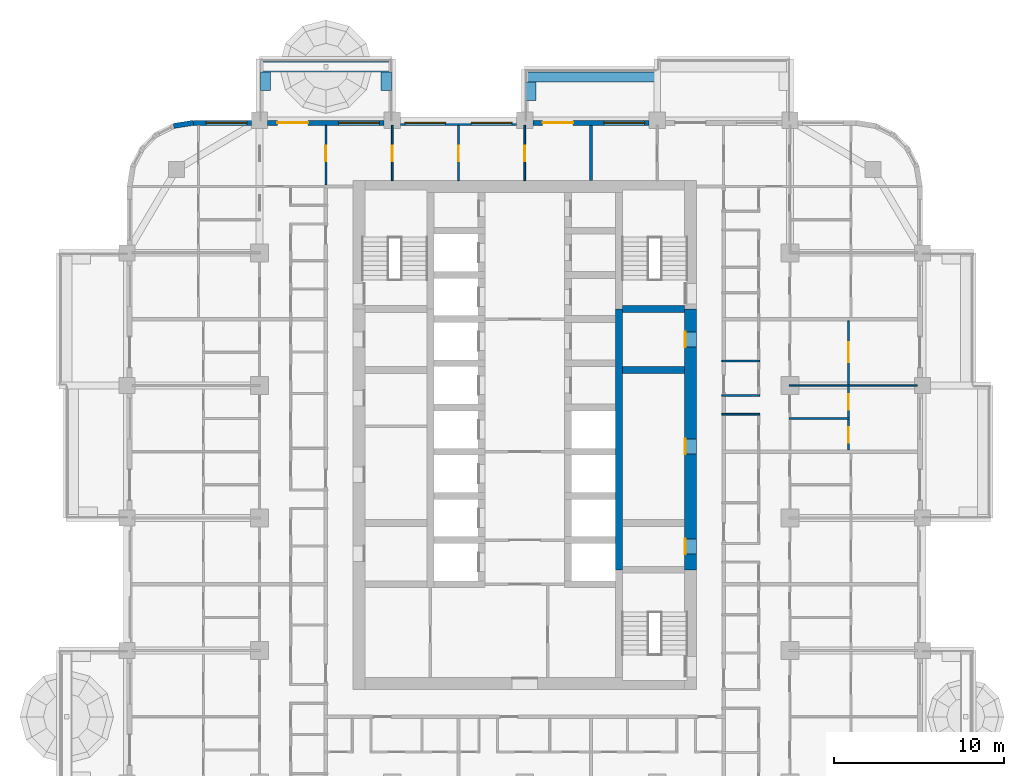
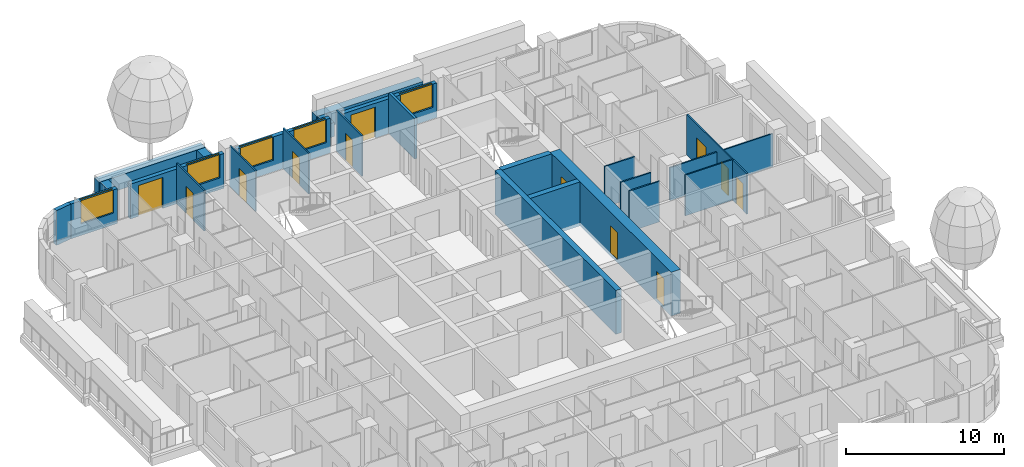
# One storey, part 12 of 19: 25 walls, 12 doors, 5 windows, 17 openings.
"""IFC4 building model written with IfcOpenShell, lengths in metres."""

from ifc_helpers import new_model, si_unit, direction, frame, frame_2d, origin, place, context, subcontext, project, spatial, rectangle, extrude, material, layer, layer_set, type_object, element, fill, save


model = new_model("IFC4")

# Units and contexts
model_context = context("Model", 3, precision=1e-05, world=origin(), true_north=direction((0.0, 1.0)))
body_context = subcontext(model_context, "Body", "Model", "MODEL_VIEW")
ifc_project = project(units=[si_unit("LENGTHUNIT", "METRE"), si_unit("AREAUNIT", "SQUARE_METRE"), si_unit("VOLUMEUNIT", "CUBIC_METRE"), si_unit("PLANEANGLEUNIT", "RADIAN"), si_unit("MASSUNIT", "GRAM", prefix="KILO")], contexts=[model_context])

# Site, building, storey
site_placement = place(None, origin())
site = spatial("IfcSite", under=ifc_project, at=site_placement, CompositionType="ELEMENT")
building_placement = place(site_placement, origin())
building = spatial("IfcBuilding", under=site, at=building_placement, Name="Ludao Terraces", CompositionType="ELEMENT")
storey_placement = place(building_placement, frame((0.0, 0.0, 81.800048828125)))
storey = spatial("IfcBuildingStorey", under=building, at=storey_placement, Name="L22", CompositionType="ELEMENT", Elevation=81.800048828125)

# Wall, openings, doors
ifc_material_1 = material(Name="Concrete C70", Category="concrete")
ifc_layer_1 = layer(ifc_material_1, 0.699951171875)
ifc_layer_set_1 = layer_set([ifc_layer_1], Name="Core wall 700 C70")
wall_type_1 = type_object("IfcWallType", Name="Core wall 700 C70", PredefinedType="SOLIDWALL", material=ifc_layer_set_1)
wall_1_placement = place(storey_placement, frame((94.75, 61.949951171875, -0.25), z_axis=(0.0, 0.0, 1.0), x_axis=(0.0, 1.0, 0.0)))
wall_1 = element("IfcWall", 1, at=wall_1_placement, inside=storey, type_object=wall_type_1, Name="Core wall L22 outer-E", PredefinedType="SOLIDWALL", context=body_context, shape_type="SweptSolid", body=[
    extrude(rectangle(XDim=15.35009765625, YDim=0.699951171875, at=frame_2d((7.675048828125, 0.0))), origin(), (0.0, 0.0, 1.0), 3.39990234375),
])
opening_1_placement = place(wall_1_placement, frame((0.925048828125, 0.0, 0.25)))
opening_1 = element("IfcOpeningElement", 2, at=opening_1_placement, cuts=wall_1, Name="Opening R06-081", PredefinedType="OPENING", context=body_context, shape_type="SweptSolid", body=[
    extrude(rectangle(XDim=0.89990234375, YDim=2.10009765625, at=frame_2d((0.449951171875, 1.050048828125))), frame((0.0, 0.35986328125, 0.0), z_axis=(0.0, -1.0, 0.0), x_axis=(1.0, 0.0, 0.0)), (0.0, 0.0, 1.0), 0.719970703125),
])
opening_2_placement = place(wall_1_placement, frame((6.800048828125, 0.0, 0.25)))
opening_2 = element("IfcOpeningElement", 3, at=opening_2_placement, cuts=wall_1, Name="Opening R06-099", PredefinedType="OPENING", context=body_context, shape_type="SweptSolid", body=[
    extrude(rectangle(XDim=0.89990234375, YDim=2.10009765625, at=frame_2d((0.449951171875, 1.050048828125))), frame((0.0, 0.35986328125, 0.0), z_axis=(0.0, -1.0, 0.0), x_axis=(1.0, 0.0, 0.0)), (0.0, 0.0, 1.0), 0.719970703125),
])
opening_3_placement = place(wall_1_placement, frame((13.10009765625, 0.0, 0.25)))
opening_3 = element("IfcOpeningElement", 4, at=opening_3_placement, cuts=wall_1, Name="Opening R06-122", PredefinedType="OPENING", context=body_context, shape_type="SweptSolid", body=[
    extrude(rectangle(XDim=0.89990234375, YDim=2.10009765625, at=frame_2d((0.449951171875, 1.050048828125))), frame((0.0, 0.35986328125, 0.0), z_axis=(0.0, -1.0, 0.0), x_axis=(1.0, 0.0, 0.0)), (0.0, 0.0, 1.0), 0.719970703125),
])
ifc_material_2 = material(Name="Steel Q235", Category="steel")
door_type_1 = type_object("IfcDoorType", Name="INT Riser door 900", OperationType="SINGLE_SWING_LEFT", PredefinedType="DOOR", material=ifc_material_2)
door_1_placement = place(opening_1_placement, origin())
door_1 = element("IfcDoor", 5, at=door_1_placement, inside=storey, type_object=door_type_1, Name="DOOR 081", OperationType="SINGLE_SWING_LEFT", OverallHeight=2.10009765625, OverallWidth=0.89990234375, PredefinedType="DOOR", context=body_context, shape_type="SweptSolid", body=[
    extrude(rectangle(XDim=0.89990234375, YDim=2.10009765625, at=frame_2d((0.449951171875, 1.050048828125))), frame((0.0, 0.3349609375, 0.0), z_axis=(0.0, -1.0, 0.0), x_axis=(1.0, 0.0, 0.0)), (0.0, 0.0, 1.0), 0.050048828125),
])
fill(opening_1, door_1)
door_2_placement = place(opening_3_placement, origin())
door_2 = element("IfcDoor", 6, at=door_2_placement, inside=storey, type_object=door_type_1, Name="DOOR 122", OperationType="SINGLE_SWING_LEFT", OverallHeight=2.10009765625, OverallWidth=0.89990234375, PredefinedType="DOOR", context=body_context, shape_type="SweptSolid", body=[
    extrude(rectangle(XDim=0.89990234375, YDim=2.10009765625, at=frame_2d((0.449951171875, 1.050048828125))), frame((0.0, 0.3349609375, 0.0), z_axis=(0.0, -1.0, 0.0), x_axis=(1.0, 0.0, 0.0)), (0.0, 0.0, 1.0), 0.050048828125),
])
fill(opening_3, door_2)
ifc_material_3 = material(Name="Timber door leaf", Category="wood")
door_type_2 = type_object("IfcDoorType", Name="INT Room door 900", OperationType="SINGLE_SWING_LEFT", PredefinedType="DOOR", material=ifc_material_3)
door_3_placement = place(opening_2_placement, origin())
door_3 = element("IfcDoor", 7, at=door_3_placement, inside=storey, type_object=door_type_2, Name="DOOR 099", OperationType="SINGLE_SWING_RIGHT", OverallHeight=2.10009765625, OverallWidth=0.89990234375, PredefinedType="DOOR", context=body_context, shape_type="SweptSolid", body=[
    extrude(rectangle(XDim=0.89990234375, YDim=2.10009765625, at=frame_2d((0.449951171875, 1.050048828125))), frame((0.0, 0.3349609375, 0.0), z_axis=(0.0, -1.0, 0.0), x_axis=(1.0, 0.0, 0.0)), (0.0, 0.0, 1.0), 0.050048828125),
])
fill(opening_2, door_3)

# Walls
ifc_material_4 = material(Name="Concrete C40", Category="concrete")
ifc_layer_2 = layer(ifc_material_4, 0.60009765625)
ifc_layer_set_2 = layer_set([ifc_layer_2], Name="ENV Planter trough 600")
wall_type_2 = type_object("IfcWallType", Name="ENV Planter trough 600", PredefinedType="USERDEFINED", material=ifc_layer_set_2)
wall_2_placement = place(storey_placement, frame((69.39990234375, 91.550048828125, 0.0), z_axis=(0.0, 0.0, 1.0), x_axis=(1.0, 0.0, 0.0)))
element("IfcWall", 8, at=wall_2_placement, inside=storey, type_object=wall_type_2, Name="PL-L22-N1", ObjectType="PLANTER", PredefinedType="USERDEFINED", context=body_context, shape_type="SweptSolid", body=[
    extrude(rectangle(XDim=7.800048828125, YDim=0.60009765625, at=frame_2d((3.89990234375, 0.0))), origin(), (0.0, 0.0, 1.0), 1.099853515625),
])
for number, where, z_axis, x_axis, name in (
    (9, (69.75, 91.25, 0.0), (0.0, 0.0, 1.0), (0.0, -1.0, 0.0), "PL-L22-N1-SA"),
    (10, (76.85009765625, 91.25, 0.0), (0.0, 0.0, 1.0), (0.0, -1.0, 0.0), "PL-L22-N1-SB"),
):
    element("IfcWall", number, at=place(storey_placement, frame(where, z_axis=z_axis, x_axis=x_axis)), inside=storey, type_object=wall_type_2, Name=name, ObjectType="PLANTER", PredefinedType="USERDEFINED", context=body_context, shape_type="SweptSolid", body=[
        extrude(rectangle(XDim=1.10009765625, YDim=0.60009765625, at=frame_2d((0.550048828125, 0.0))), origin(), (0.0, 0.0, 1.0), 1.099853515625),
    ])
wall_3_placement = place(storey_placement, frame((85.0, 90.949951171875, 0.0), z_axis=(0.0, 0.0, 1.0), x_axis=(1.0, 0.0, 0.0)))
element("IfcWall", 11, at=wall_3_placement, inside=storey, type_object=wall_type_2, Name="PL-L22-N3", ObjectType="PLANTER", PredefinedType="USERDEFINED", context=body_context, shape_type="SweptSolid", body=[
    extrude(rectangle(XDim=7.800048828125, YDim=0.60009765625, at=frame_2d((3.89990234375, 0.0))), origin(), (0.0, 0.0, 1.0), 1.099853515625),
])
wall_4_placement = place(storey_placement, frame((85.35009765625, 90.64990234375, 0.0), z_axis=(0.0, 0.0, 1.0), x_axis=(0.0, -1.0, 0.0)))
element("IfcWall", 12, at=wall_4_placement, inside=storey, type_object=wall_type_2, Name="PL-L22-N3-SA", ObjectType="PLANTER", PredefinedType="USERDEFINED", context=body_context, shape_type="SweptSolid", body=[
    extrude(rectangle(XDim=1.099853515625, YDim=0.60009765625, at=frame_2d((0.5498046875, 0.0))), origin(), (0.0, 0.0, 1.0), 1.099853515625),
])

# Wall, opening, window
ifc_material_5 = material(Name="Granite cladding", Category="masonry")
ifc_layer_3 = layer(ifc_material_5, 0.0400390625, Category="stone")
ifc_material_6 = material(Name="Mineral wool")
ifc_layer_4 = layer(ifc_material_6, 0.06005859375)
ifc_layer_5 = layer(ifc_material_4, 0.199951171875, Category="concrete")
ifc_layer_set_3 = layer_set([ifc_layer_3, ifc_layer_4, ifc_layer_5], Name="ENV Stone-clad wall 300")
wall_type_3 = type_object("IfcWallType", Name="ENV Stone-clad wall 300", PredefinedType="SOLIDWALL", material=ifc_layer_set_3)
wall_5_placement = place(storey_placement, frame((65.5, 88.25, 0.0), z_axis=(0.0, 0.0, 1.0), x_axis=(1.0, 0.0, 0.0)))
wall_5 = element("IfcWall", 13, at=wall_5_placement, inside=storey, type_object=wall_type_3, Name="EW-L22-N1", PredefinedType="SOLIDWALL", context=body_context, shape_type="SweptSolid", body=[
    extrude(rectangle(XDim=3.425048828125, YDim=0.300048828125, at=frame_2d((1.71240234375, 0.0))), origin(), (0.0, 0.0, 1.0), 2.699951171875),
])
opening_4_placement = place(wall_5_placement, frame((0.75, 0.0, 0.89990234375)))
opening_4 = element("IfcOpeningElement", 14, at=opening_4_placement, cuts=wall_5, Name="Opening W1", PredefinedType="OPENING", context=body_context, shape_type="SweptSolid", body=[
    extrude(rectangle(XDim=2.39990234375, YDim=1.800048828125, at=frame_2d((1.199951171875, 0.89990234375))), frame((0.0, 0.16015625, 0.0), z_axis=(0.0, -1.0, 0.0), x_axis=(1.0, 0.0, 0.0)), (0.0, 0.0, 1.0), 0.320068359375),
])
ifc_material_7 = material(Name="Clear glass in aluminium frame", Category="aluminium")
ifc_layer_6 = layer(ifc_material_7, 0.06005859375)
ifc_layer_set_4 = layer_set([ifc_layer_6], Name="ENV Window W1 2400x1800")
window_type = type_object("IfcWindowType", Name="ENV Window W1 2400x1800", PartitioningType="DOUBLE_PANEL_VERTICAL", PredefinedType="WINDOW", material=ifc_layer_set_4)
window_1_placement = place(opening_4_placement, origin())
window_1 = element("IfcWindow", 15, at=window_1_placement, inside=storey, type_object=window_type, Name="W-L22-N1-1", OverallHeight=1.800048828125, OverallWidth=2.39990234375, PartitioningType="DOUBLE_PANEL_VERTICAL", PredefinedType="WINDOW", context=body_context, shape_type="SweptSolid", body=[
    extrude(rectangle(XDim=2.39990234375, YDim=1.800048828125, at=frame_2d((1.199951171875, 0.89990234375))), frame((0.0, 0.030029296875, 0.0), z_axis=(0.0, -1.0, 0.0), x_axis=(1.0, 0.0, 0.0)), (0.0, 0.0, 1.0), 0.06005859375),
])
fill(opening_4, window_1)

# Wall, openings, door, window
wall_6_placement = place(storey_placement, frame((69.875, 88.25, 0.0), z_axis=(0.0, 0.0, 1.0), x_axis=(1.0, 0.0, 0.0)))
wall_6 = element("IfcWall", 16, at=wall_6_placement, inside=storey, type_object=wall_type_3, Name="EW-L22-N2", PredefinedType="SOLIDWALL", context=body_context, shape_type="SweptSolid", body=[
    extrude(rectangle(XDim=6.85009765625, YDim=0.300048828125, at=frame_2d((3.425048828125, 0.0))), origin(), (0.0, 0.0, 1.0), 2.699951171875),
])
opening_5_placement = place(wall_6_placement, frame((0.574951171875, 0.0, 0.0)))
opening_5 = element("IfcOpeningElement", 17, at=opening_5_placement, cuts=wall_6, Name="Opening BD", PredefinedType="OPENING", context=body_context, shape_type="SweptSolid", body=[
    extrude(rectangle(XDim=1.800048828125, YDim=2.39990234375, at=frame_2d((0.89990234375, 1.199951171875))), frame((0.0, 0.16015625, 0.0), z_axis=(0.0, -1.0, 0.0), x_axis=(1.0, 0.0, 0.0)), (0.0, 0.0, 1.0), 0.320068359375),
])
opening_6_placement = place(wall_6_placement, frame((4.175048828125, 0.0, 0.89990234375)))
opening_6 = element("IfcOpeningElement", 18, at=opening_6_placement, cuts=wall_6, Name="Opening W1", PredefinedType="OPENING", context=body_context, shape_type="SweptSolid", body=[
    extrude(rectangle(XDim=2.39990234375, YDim=1.800048828125, at=frame_2d((1.199951171875, 0.89990234375))), frame((0.0, 0.16015625, 0.0), z_axis=(0.0, -1.0, 0.0), x_axis=(1.0, 0.0, 0.0)), (0.0, 0.0, 1.0), 0.320068359375),
])
ifc_material_8 = material(Name="Aluminium glazed door", Category="aluminium")
ifc_layer_7 = layer(ifc_material_8, 0.06005859375)
ifc_layer_set_5 = layer_set([ifc_layer_7], Name="ENV Balcony door BD 1800x2400")
door_type_3 = type_object("IfcDoorType", Name="ENV Balcony door BD 1800x2400", OperationType="DOUBLE_DOOR_SINGLE_SWING", PredefinedType="DOOR", material=ifc_layer_set_5)
door_4_placement = place(opening_5_placement, origin())
door_4 = element("IfcDoor", 19, at=door_4_placement, inside=storey, type_object=door_type_3, Name="BD-L22-N2-1", OperationType="DOUBLE_DOOR_SINGLE_SWING", OverallHeight=2.39990234375, OverallWidth=1.800048828125, PredefinedType="DOOR", context=body_context, shape_type="SweptSolid", body=[
    extrude(rectangle(XDim=1.800048828125, YDim=2.39990234375, at=frame_2d((0.89990234375, 1.199951171875))), frame((0.0, 0.02490234375, 0.0), z_axis=(0.0, -1.0, 0.0), x_axis=(1.0, 0.0, 0.0)), (0.0, 0.0, 1.0), 0.050048828125),
])
fill(opening_5, door_4)
window_2_placement = place(opening_6_placement, origin())
window_2 = element("IfcWindow", 20, at=window_2_placement, inside=storey, type_object=window_type, Name="W-L22-N2-2", OverallHeight=1.800048828125, OverallWidth=2.39990234375, PartitioningType="DOUBLE_PANEL_VERTICAL", PredefinedType="WINDOW", context=body_context, shape_type="SweptSolid", body=[
    extrude(rectangle(XDim=2.39990234375, YDim=1.800048828125, at=frame_2d((1.199951171875, 0.89990234375))), frame((0.0, 0.030029296875, 0.0), z_axis=(0.0, -1.0, 0.0), x_axis=(1.0, 0.0, 0.0)), (0.0, 0.0, 1.0), 0.06005859375),
])
fill(opening_6, window_2)

# Wall, openings, windows
wall_7_placement = place(storey_placement, frame((77.675048828125, 88.25, 0.0), z_axis=(0.0, 0.0, 1.0), x_axis=(1.0, 0.0, 0.0)))
wall_7 = element("IfcWall", 21, at=wall_7_placement, inside=storey, type_object=wall_type_3, Name="EW-L22-N3", PredefinedType="SOLIDWALL", context=body_context, shape_type="SweptSolid", body=[
    extrude(rectangle(XDim=6.849853515625, YDim=0.300048828125, at=frame_2d((3.4248046875, 0.0))), origin(), (0.0, 0.0, 1.0), 2.699951171875),
])
opening_7_placement = place(wall_7_placement, frame((0.27490234375, 0.0, 0.89990234375)))
opening_7 = element("IfcOpeningElement", 22, at=opening_7_placement, cuts=wall_7, Name="Opening W1", PredefinedType="OPENING", context=body_context, shape_type="SweptSolid", body=[
    extrude(rectangle(XDim=2.39990234375, YDim=1.800048828125, at=frame_2d((1.199951171875, 0.89990234375))), frame((0.0, 0.16015625, 0.0), z_axis=(0.0, -1.0, 0.0), x_axis=(1.0, 0.0, 0.0)), (0.0, 0.0, 1.0), 0.320068359375),
])
opening_8_placement = place(wall_7_placement, frame((4.175048828125, 0.0, 0.89990234375)))
opening_8 = element("IfcOpeningElement", 23, at=opening_8_placement, cuts=wall_7, Name="Opening W1", PredefinedType="OPENING", context=body_context, shape_type="SweptSolid", body=[
    extrude(rectangle(XDim=2.39990234375, YDim=1.800048828125, at=frame_2d((1.199951171875, 0.89990234375))), frame((0.0, 0.16015625, 0.0), z_axis=(0.0, -1.0, 0.0), x_axis=(1.0, 0.0, 0.0)), (0.0, 0.0, 1.0), 0.320068359375),
])
window_3_placement = place(opening_7_placement, origin())
window_3 = element("IfcWindow", 24, at=window_3_placement, inside=storey, type_object=window_type, Name="W-L22-N3-1", OverallHeight=1.800048828125, OverallWidth=2.39990234375, PartitioningType="DOUBLE_PANEL_VERTICAL", PredefinedType="WINDOW", context=body_context, shape_type="SweptSolid", body=[
    extrude(rectangle(XDim=2.39990234375, YDim=1.800048828125, at=frame_2d((1.199951171875, 0.89990234375))), frame((0.0, 0.030029296875, 0.0), z_axis=(0.0, -1.0, 0.0), x_axis=(1.0, 0.0, 0.0)), (0.0, 0.0, 1.0), 0.06005859375),
])
fill(opening_7, window_3)
window_4_placement = place(opening_8_placement, origin())
window_4 = element("IfcWindow", 25, at=window_4_placement, inside=storey, type_object=window_type, Name="W-L22-N3-2", OverallHeight=1.800048828125, OverallWidth=2.39990234375, PartitioningType="DOUBLE_PANEL_VERTICAL", PredefinedType="WINDOW", context=body_context, shape_type="SweptSolid", body=[
    extrude(rectangle(XDim=2.39990234375, YDim=1.800048828125, at=frame_2d((1.199951171875, 0.89990234375))), frame((0.0, 0.030029296875, 0.0), z_axis=(0.0, -1.0, 0.0), x_axis=(1.0, 0.0, 0.0)), (0.0, 0.0, 1.0), 0.06005859375),
])
fill(opening_8, window_4)

# Wall, openings, door, window
wall_8_placement = place(storey_placement, frame((85.47509765625, 88.25, 0.0), z_axis=(0.0, 0.0, 1.0), x_axis=(1.0, 0.0, 0.0)))
wall_8 = element("IfcWall", 26, at=wall_8_placement, inside=storey, type_object=wall_type_3, Name="EW-L22-N4", PredefinedType="SOLIDWALL", context=body_context, shape_type="SweptSolid", body=[
    extrude(rectangle(XDim=6.849853515625, YDim=0.300048828125, at=frame_2d((3.4248046875, 0.0))), origin(), (0.0, 0.0, 1.0), 2.699951171875),
])
opening_9_placement = place(wall_8_placement, frame((0.574951171875, 0.0, 0.0)))
opening_9 = element("IfcOpeningElement", 27, at=opening_9_placement, cuts=wall_8, Name="Opening BD", PredefinedType="OPENING", context=body_context, shape_type="SweptSolid", body=[
    extrude(rectangle(XDim=1.800048828125, YDim=2.39990234375, at=frame_2d((0.89990234375, 1.199951171875))), frame((0.0, 0.16015625, 0.0), z_axis=(0.0, -1.0, 0.0), x_axis=(1.0, 0.0, 0.0)), (0.0, 0.0, 1.0), 0.320068359375),
])
opening_10_placement = place(wall_8_placement, frame((4.175048828125, 0.0, 0.89990234375)))
opening_10 = element("IfcOpeningElement", 28, at=opening_10_placement, cuts=wall_8, Name="Opening W1", PredefinedType="OPENING", context=body_context, shape_type="SweptSolid", body=[
    extrude(rectangle(XDim=2.39990234375, YDim=1.800048828125, at=frame_2d((1.199951171875, 0.89990234375))), frame((0.0, 0.16015625, 0.0), z_axis=(0.0, -1.0, 0.0), x_axis=(1.0, 0.0, 0.0)), (0.0, 0.0, 1.0), 0.320068359375),
])
door_5_placement = place(opening_9_placement, origin())
door_5 = element("IfcDoor", 29, at=door_5_placement, inside=storey, type_object=door_type_3, Name="BD-L22-N4-1", OperationType="DOUBLE_DOOR_SINGLE_SWING", OverallHeight=2.39990234375, OverallWidth=1.800048828125, PredefinedType="DOOR", context=body_context, shape_type="SweptSolid", body=[
    extrude(rectangle(XDim=1.800048828125, YDim=2.39990234375, at=frame_2d((0.89990234375, 1.199951171875))), frame((0.0, 0.02490234375, 0.0), z_axis=(0.0, -1.0, 0.0), x_axis=(1.0, 0.0, 0.0)), (0.0, 0.0, 1.0), 0.050048828125),
])
fill(opening_9, door_5)
window_5_placement = place(opening_10_placement, origin())
window_5 = element("IfcWindow", 30, at=window_5_placement, inside=storey, type_object=window_type, Name="W-L22-N4-2", OverallHeight=1.800048828125, OverallWidth=2.39990234375, PartitioningType="DOUBLE_PANEL_VERTICAL", PredefinedType="WINDOW", context=body_context, shape_type="SweptSolid", body=[
    extrude(rectangle(XDim=2.39990234375, YDim=1.800048828125, at=frame_2d((1.199951171875, 0.89990234375))), frame((0.0, 0.030029296875, 0.0), z_axis=(0.0, -1.0, 0.0), x_axis=(1.0, 0.0, 0.0)), (0.0, 0.0, 1.0), 0.06005859375),
])
fill(opening_10, window_5)

# Walls
wall_9_placement = place(storey_placement, frame((65.5, 88.25, 0.0), z_axis=(0.0, 0.0, 1.0), x_axis=(-0.987678452879, -0.156496880861, 0.0)))
element("IfcWall", 31, at=wall_9_placement, inside=storey, type_object=wall_type_3, Name="EW-L22-NW1", PredefinedType="SOLIDWALL", context=body_context, shape_type="SweptSolid", body=[
    extrude(rectangle(XDim=1.173095703125, YDim=0.300048828125, at=frame_2d((0.58642578125, 0.0))), origin(), (0.0, 0.0, 1.0), 2.699951171875),
])
ifc_material_9 = material(Name="Gypsum plasterboard", Category="gypsum")
ifc_layer_8 = layer(ifc_material_9, 0.012451171875, Category="gypsum")
ifc_layer_9 = layer(ifc_material_6, 0.06005859375, Name="insulation")
ifc_layer_10 = layer(ifc_material_2, 0.014892578125, Name="stud")
ifc_layer_11 = layer(ifc_material_9, 0.012451171875, Category="gypsum")
ifc_layer_set_6 = layer_set([ifc_layer_8, ifc_layer_9, ifc_layer_10, ifc_layer_11], Name="INT Partition 100")
wall_type_4 = type_object("IfcWallType", Name="INT Partition 100", PredefinedType="PARTITIONING", material=ifc_layer_set_6)
wall_10_placement = place(storey_placement, frame((100.550048828125, 70.85009765625, 0.0), z_axis=(0.0, 0.0, 1.0), x_axis=(1.0, 0.0, 0.0)))
element("IfcWall", 32, at=wall_10_placement, inside=storey, type_object=wall_type_4, Name="PW-L22-PW053", PredefinedType="PARTITIONING", context=body_context, shape_type="SweptSolid", body=[
    extrude(rectangle(XDim=3.550048828125, YDim=0.10009765625, at=frame_2d((1.77490234375, 0.0))), origin(), (0.0, 0.0, 1.0), 3.14990234375),
])
for number, where, z_axis, x_axis, name in (
    (33, (96.60009765625, 71.10009765625, 0.0), (0.0, 0.0, 1.0), (1.0, 0.0, 0.0), "PW-L22-PW054"),
    (34, (96.60009765625, 72.199951171875, 0.0), (0.0, 0.0, 1.0), (1.0, 0.0, 0.0), "PW-L22-PW055"),
):
    element("IfcWall", number, at=place(storey_placement, frame(where, z_axis=z_axis, x_axis=x_axis)), inside=storey, type_object=wall_type_4, Name=name, PredefinedType="PARTITIONING", context=body_context, shape_type="SweptSolid", body=[
        extrude(rectangle(XDim=2.219970703125, YDim=0.10009765625, at=frame_2d((1.10986328125, 0.0))), origin(), (0.0, 0.0, 1.0), 3.14990234375),
    ])
wall_11_placement = place(storey_placement, frame((100.550048828125, 72.800048828125, 0.0), z_axis=(0.0, 0.0, 1.0), x_axis=(1.0, 0.0, 0.0)))
element("IfcWall", 35, at=wall_11_placement, inside=storey, type_object=wall_type_4, Name="PW-L22-PW058", PredefinedType="PARTITIONING", context=body_context, shape_type="SweptSolid", body=[
    extrude(rectangle(XDim=7.550048828125, YDim=0.10009765625, at=frame_2d((3.77490234375, 0.0))), origin(), (0.0, 0.0, 1.0), 2.5498046875),
])
wall_12_placement = place(storey_placement, frame((96.60009765625, 74.22998046875, 0.0), z_axis=(0.0, 0.0, 1.0), x_axis=(1.0, 0.0, 0.0)))
element("IfcWall", 36, at=wall_12_placement, inside=storey, type_object=wall_type_4, Name="PW-L22-PW059", PredefinedType="PARTITIONING", context=body_context, shape_type="SweptSolid", body=[
    extrude(rectangle(XDim=2.219970703125, YDim=0.10009765625, at=frame_2d((1.10986328125, 0.0))), origin(), (0.0, 0.0, 1.0), 3.14990234375),
])

# Wall, opening, door
wall_13_placement = place(storey_placement, frame((73.300048828125, 84.60009765625, 0.0), z_axis=(0.0, 0.0, 1.0), x_axis=(0.0, 1.0, 0.0)))
wall_13 = element("IfcWall", 37, at=wall_13_placement, inside=storey, type_object=wall_type_4, Name="PW-L22-PW090", PredefinedType="PARTITIONING", context=body_context, shape_type="SweptSolid", body=[
    extrude(rectangle(XDim=3.5, YDim=0.10009765625, at=frame_2d((1.75, 0.0))), origin(), (0.0, 0.0, 1.0), 3.14990234375),
])
opening_11_placement = place(wall_13_placement, frame((1.39990234375, 0.0, 0.0)))
opening_11 = element("IfcOpeningElement", 38, at=opening_11_placement, cuts=wall_13, Name="Opening R06-159", PredefinedType="OPENING", context=body_context, shape_type="SweptSolid", body=[
    extrude(rectangle(XDim=0.89990234375, YDim=2.10009765625, at=frame_2d((0.449951171875, 1.050048828125))), frame((0.0, 0.06005859375, 0.0), z_axis=(0.0, -1.0, 0.0), x_axis=(1.0, 0.0, 0.0)), (0.0, 0.0, 1.0), 0.1201171875),
])
door_6_placement = place(opening_11_placement, origin())
door_6 = element("IfcDoor", 39, at=door_6_placement, inside=storey, type_object=door_type_2, Name="DOOR 159", OperationType="SINGLE_SWING_LEFT", OverallHeight=2.10009765625, OverallWidth=0.89990234375, PredefinedType="DOOR", context=body_context, shape_type="SweptSolid", body=[
    extrude(rectangle(XDim=0.89990234375, YDim=2.10009765625, at=frame_2d((0.449951171875, 1.050048828125))), frame((0.0, 0.02490234375, 0.0), z_axis=(0.0, -1.0, 0.0), x_axis=(1.0, 0.0, 0.0)), (0.0, 0.0, 1.0), 0.050048828125),
])
fill(opening_11, door_6)

wall_14_placement = place(storey_placement, frame((77.199951171875, 84.85009765625, 0.0), z_axis=(0.0, 0.0, 1.0), x_axis=(0.0, 1.0, 0.0)))
wall_14 = element("IfcWall", 40, at=wall_14_placement, inside=storey, type_object=wall_type_4, Name="PW-L22-PW095", PredefinedType="PARTITIONING", context=body_context, shape_type="SweptSolid", body=[
    extrude(rectangle(XDim=3.25, YDim=0.10009765625, at=frame_2d((1.625, 0.0))), origin(), (0.0, 0.0, 1.0), 3.14990234375),
])
opening_12_placement = place(wall_14_placement, frame((1.14990234375, 0.0, 0.0)))
opening_12 = element("IfcOpeningElement", 41, at=opening_12_placement, cuts=wall_14, Name="Opening R06-160", PredefinedType="OPENING", context=body_context, shape_type="SweptSolid", body=[
    extrude(rectangle(XDim=0.89990234375, YDim=2.10009765625, at=frame_2d((0.449951171875, 1.050048828125))), frame((0.0, 0.06005859375, 0.0), z_axis=(0.0, -1.0, 0.0), x_axis=(1.0, 0.0, 0.0)), (0.0, 0.0, 1.0), 0.1201171875),
])
door_7_placement = place(opening_12_placement, origin())
door_7 = element("IfcDoor", 42, at=door_7_placement, inside=storey, type_object=door_type_2, Name="DOOR 160", OperationType="SINGLE_SWING_RIGHT", OverallHeight=2.10009765625, OverallWidth=0.89990234375, PredefinedType="DOOR", context=body_context, shape_type="SweptSolid", body=[
    extrude(rectangle(XDim=0.89990234375, YDim=2.10009765625, at=frame_2d((0.449951171875, 1.050048828125))), frame((0.0, 0.02490234375, 0.0), z_axis=(0.0, -1.0, 0.0), x_axis=(1.0, 0.0, 0.0)), (0.0, 0.0, 1.0), 0.050048828125),
])
fill(opening_12, door_7)

wall_15_placement = place(storey_placement, frame((81.10009765625, 84.85009765625, 0.0), z_axis=(0.0, 0.0, 1.0), x_axis=(0.0, 1.0, 0.0)))
wall_15 = element("IfcWall", 43, at=wall_15_placement, inside=storey, type_object=wall_type_4, Name="PW-L22-PW099", PredefinedType="PARTITIONING", context=body_context, shape_type="SweptSolid", body=[
    extrude(rectangle(XDim=3.25, YDim=0.10009765625, at=frame_2d((1.625, 0.0))), origin(), (0.0, 0.0, 1.0), 3.14990234375),
])
opening_13_placement = place(wall_15_placement, frame((1.14990234375, 0.0, 0.0)))
opening_13 = element("IfcOpeningElement", 44, at=opening_13_placement, cuts=wall_15, Name="Opening R06-161", PredefinedType="OPENING", context=body_context, shape_type="SweptSolid", body=[
    extrude(rectangle(XDim=0.89990234375, YDim=2.10009765625, at=frame_2d((0.449951171875, 1.050048828125))), frame((0.0, 0.06005859375, 0.0), z_axis=(0.0, -1.0, 0.0), x_axis=(1.0, 0.0, 0.0)), (0.0, 0.0, 1.0), 0.1201171875),
])
door_8_placement = place(opening_13_placement, origin())
door_8 = element("IfcDoor", 45, at=door_8_placement, inside=storey, type_object=door_type_2, Name="DOOR 161", OperationType="SINGLE_SWING_RIGHT", OverallHeight=2.10009765625, OverallWidth=0.89990234375, PredefinedType="DOOR", context=body_context, shape_type="SweptSolid", body=[
    extrude(rectangle(XDim=0.89990234375, YDim=2.10009765625, at=frame_2d((0.449951171875, 1.050048828125))), frame((0.0, 0.02490234375, 0.0), z_axis=(0.0, -1.0, 0.0), x_axis=(1.0, 0.0, 0.0)), (0.0, 0.0, 1.0), 0.050048828125),
])
fill(opening_13, door_8)

wall_16_placement = place(storey_placement, frame((85.0, 84.85009765625, 0.0), z_axis=(0.0, 0.0, 1.0), x_axis=(0.0, 1.0, 0.0)))
wall_16 = element("IfcWall", 46, at=wall_16_placement, inside=storey, type_object=wall_type_4, Name="PW-L22-PW103", PredefinedType="PARTITIONING", context=body_context, shape_type="SweptSolid", body=[
    extrude(rectangle(XDim=3.25, YDim=0.10009765625, at=frame_2d((1.625, 0.0))), origin(), (0.0, 0.0, 1.0), 3.14990234375),
])
opening_14_placement = place(wall_16_placement, frame((1.14990234375, 0.0, 0.0)))
opening_14 = element("IfcOpeningElement", 47, at=opening_14_placement, cuts=wall_16, Name="Opening R06-162", PredefinedType="OPENING", context=body_context, shape_type="SweptSolid", body=[
    extrude(rectangle(XDim=0.89990234375, YDim=2.10009765625, at=frame_2d((0.449951171875, 1.050048828125))), frame((0.0, 0.06005859375, 0.0), z_axis=(0.0, -1.0, 0.0), x_axis=(1.0, 0.0, 0.0)), (0.0, 0.0, 1.0), 0.1201171875),
])
door_9_placement = place(opening_14_placement, origin())
door_9 = element("IfcDoor", 48, at=door_9_placement, inside=storey, type_object=door_type_2, Name="DOOR 162", OperationType="SINGLE_SWING_RIGHT", OverallHeight=2.10009765625, OverallWidth=0.89990234375, PredefinedType="DOOR", context=body_context, shape_type="SweptSolid", body=[
    extrude(rectangle(XDim=0.89990234375, YDim=2.10009765625, at=frame_2d((0.449951171875, 1.050048828125))), frame((0.0, 0.02490234375, 0.0), z_axis=(0.0, -1.0, 0.0), x_axis=(1.0, 0.0, 0.0)), (0.0, 0.0, 1.0), 0.050048828125),
])
fill(opening_14, door_9)

# Wall, openings, doors
wall_17_placement = place(storey_placement, frame((104.050048828125, 69.0, 0.0), z_axis=(0.0, 0.0, 1.0), x_axis=(0.0, 1.0, 0.0)))
wall_17 = element("IfcWall", 49, at=wall_17_placement, inside=storey, type_object=wall_type_4, Name="PW-L22-PW124", PredefinedType="PARTITIONING", context=body_context, shape_type="SweptSolid", body=[
    extrude(rectangle(XDim=7.60009765625, YDim=0.10009765625, at=frame_2d((3.800048828125, 0.0))), origin(), (0.0, 0.0, 1.0), 3.14990234375),
])
opening_15_placement = place(wall_17_placement, frame((0.425048828125, 0.0, 0.0)))
opening_15 = element("IfcOpeningElement", 50, at=opening_15_placement, cuts=wall_17, Name="Opening R06-101", PredefinedType="OPENING", context=body_context, shape_type="SweptSolid", body=[
    extrude(rectangle(XDim=0.89990234375, YDim=2.10009765625, at=frame_2d((0.449951171875, 1.050048828125))), frame((0.0, 0.06005859375, 0.0), z_axis=(0.0, -1.0, 0.0), x_axis=(1.0, 0.0, 0.0)), (0.0, 0.0, 1.0), 0.1201171875),
])
opening_16_placement = place(wall_17_placement, frame((2.375, 0.0, 0.0)))
opening_16 = element("IfcOpeningElement", 51, at=opening_16_placement, cuts=wall_17, Name="Opening R06-108", PredefinedType="OPENING", context=body_context, shape_type="SweptSolid", body=[
    extrude(rectangle(XDim=0.89990234375, YDim=2.10009765625, at=frame_2d((0.449951171875, 1.050048828125))), frame((0.0, 0.06005859375, 0.0), z_axis=(0.0, -1.0, 0.0), x_axis=(1.0, 0.0, 0.0)), (0.0, 0.0, 1.0), 0.1201171875),
])
opening_17_placement = place(wall_17_placement, frame((5.150146484375, 0.0, 0.0)))
opening_17 = element("IfcOpeningElement", 52, at=opening_17_placement, cuts=wall_17, Name="Opening R06-117", PredefinedType="OPENING", context=body_context, shape_type="SweptSolid", body=[
    extrude(rectangle(XDim=1.199951171875, YDim=2.10009765625, at=frame_2d((0.60009765625, 1.050048828125))), frame((0.0, 0.06005859375, 0.0), z_axis=(0.0, -1.0, 0.0), x_axis=(1.0, 0.0, 0.0)), (0.0, 0.0, 1.0), 0.1201171875),
])
door_type_4 = type_object("IfcDoorType", Name="INT Bathroom door 900", OperationType="SINGLE_SWING_LEFT", PredefinedType="DOOR", material=ifc_material_3)
door_10_placement = place(opening_15_placement, origin())
door_10 = element("IfcDoor", 53, at=door_10_placement, inside=storey, type_object=door_type_4, Name="DOOR 101", OperationType="SINGLE_SWING_LEFT", OverallHeight=2.10009765625, OverallWidth=0.89990234375, PredefinedType="DOOR", context=body_context, shape_type="SweptSolid", body=[
    extrude(rectangle(XDim=0.89990234375, YDim=2.10009765625, at=frame_2d((0.449951171875, 1.050048828125))), frame((0.0, 0.02490234375, 0.0), z_axis=(0.0, -1.0, 0.0), x_axis=(1.0, 0.0, 0.0)), (0.0, 0.0, 1.0), 0.050048828125),
])
fill(opening_15, door_10)
door_type_5 = type_object("IfcDoorType", Name="INT Double door 1200", OperationType="DOUBLE_DOOR_SINGLE_SWING", PredefinedType="DOOR", material=ifc_material_3)
door_11_placement = place(opening_17_placement, origin())
door_11 = element("IfcDoor", 54, at=door_11_placement, inside=storey, type_object=door_type_5, Name="DOOR 117", OperationType="DOUBLE_DOOR_SINGLE_SWING", OverallHeight=2.10009765625, OverallWidth=1.199951171875, PredefinedType="DOOR", context=body_context, shape_type="SweptSolid", body=[
    extrude(rectangle(XDim=1.199951171875, YDim=2.10009765625, at=frame_2d((0.60009765625, 1.050048828125))), frame((0.0, 0.02490234375, 0.0), z_axis=(0.0, -1.0, 0.0), x_axis=(1.0, 0.0, 0.0)), (0.0, 0.0, 1.0), 0.050048828125),
])
fill(opening_17, door_11)
door_12_placement = place(opening_16_placement, origin())
door_12 = element("IfcDoor", 55, at=door_12_placement, inside=storey, type_object=door_type_2, Name="DOOR 108", OperationType="SINGLE_SWING_LEFT", OverallHeight=2.10009765625, OverallWidth=0.89990234375, PredefinedType="DOOR", context=body_context, shape_type="SweptSolid", body=[
    extrude(rectangle(XDim=0.89990234375, YDim=2.10009765625, at=frame_2d((0.449951171875, 1.050048828125))), frame((0.0, 0.02490234375, 0.0), z_axis=(0.0, -1.0, 0.0), x_axis=(1.0, 0.0, 0.0)), (0.0, 0.0, 1.0), 0.050048828125),
])
fill(opening_16, door_12)

# Walls
ifc_material_10 = material(Name="Autoclaved aerated concrete block B06 A3.5", Category="concrete")
ifc_layer_12 = layer(ifc_material_10, 0.199951171875)
ifc_layer_set_7 = layer_set([ifc_layer_12], Name="INT Party wall 200")
wall_type_5 = type_object("IfcWallType", Name="INT Party wall 200", PredefinedType="PARTITIONING", material=ifc_layer_set_7)
wall_18_placement = place(storey_placement, frame((88.89990234375, 84.85009765625, 0.0), z_axis=(0.0, 0.0, 1.0), x_axis=(0.0, 1.0, 0.0)))
element("IfcWall", 56, at=wall_18_placement, inside=storey, type_object=wall_type_5, Name="PW-L22-PW108", PredefinedType="PARTITIONING", context=body_context, shape_type="SweptSolid", body=[
    extrude(rectangle(XDim=3.25, YDim=0.199951171875, at=frame_2d((1.625, 0.0))), origin(), (0.0, 0.0, 1.0), 3.14990234375),
])
ifc_material_11 = material(Name="Concrete C60", Category="concrete")
ifc_layer_13 = layer(ifc_material_11, 0.39990234375)
ifc_layer_set_8 = layer_set([ifc_layer_13], Name="Shaft wall 400 C60")
wall_type_6 = type_object("IfcWallType", Name="Shaft wall 400 C60", PredefinedType="SOLIDWALL", material=ifc_layer_set_8)
wall_19_placement = place(storey_placement, frame((90.550048828125, 61.949951171875, -0.25), z_axis=(0.0, 0.0, 1.0), x_axis=(0.0, 1.0, 0.0)))
element("IfcWall", 57, at=wall_19_placement, inside=storey, type_object=wall_type_6, Name="Core wall L22 back-E", PredefinedType="SOLIDWALL", context=body_context, shape_type="SweptSolid", body=[
    extrude(rectangle(XDim=15.35009765625, YDim=0.39990234375, at=frame_2d((7.675048828125, 0.0))), origin(), (0.0, 0.0, 1.0), 3.39990234375),
])
for number, where, z_axis, x_axis, name in (
    (58, (90.75, 73.699951171875, -0.25), (0.0, 0.0, 1.0), (1.0, 0.0, 0.0), "Core wall L22 riser-b-E"),
    (59, (90.75, 77.300048828125, -0.25), (0.0, 0.0, 1.0), (1.0, 0.0, 0.0), "Core wall L22 stair-E"),
):
    element("IfcWall", number, at=place(storey_placement, frame(where, z_axis=z_axis, x_axis=x_axis)), inside=storey, type_object=wall_type_6, Name=name, PredefinedType="SOLIDWALL", context=body_context, shape_type="SweptSolid", body=[
        extrude(rectangle(XDim=3.64990234375, YDim=0.39990234375, at=frame_2d((1.824951171875, 0.0))), origin(), (0.0, 0.0, 1.0), 3.39990234375),
    ])

save(model, "model.ifc")
